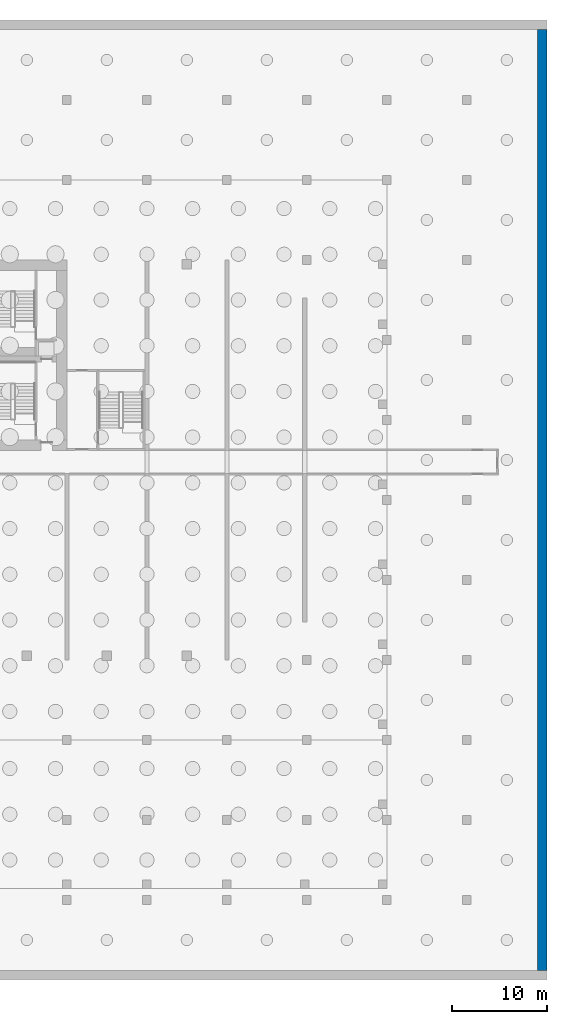
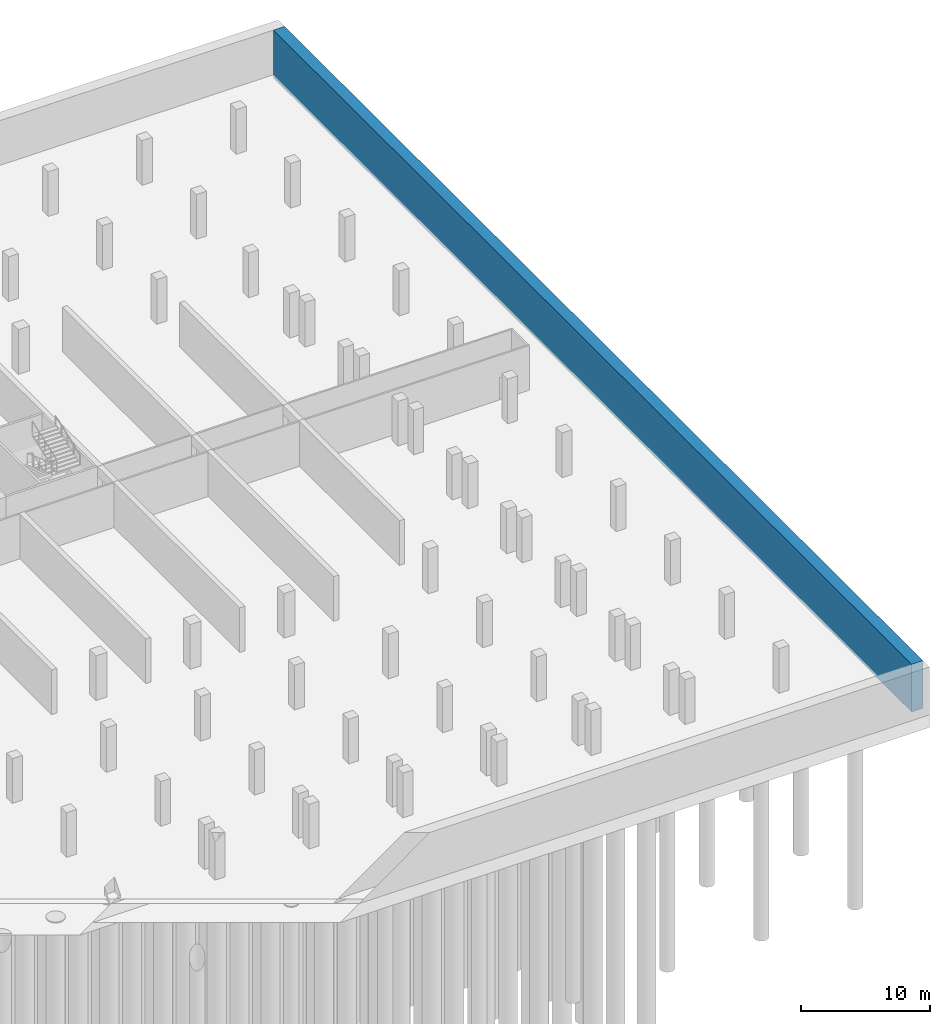
# One storey, part 13 of 17: 1 wall.
"""IFC4 building model written with IfcOpenShell, lengths in metres."""

from ifc_helpers import new_model, si_unit, direction, frame, frame_2d, origin, place, context, subcontext, project, spatial, rectangle, extrude, source, transform, mapped, material, layer, layer_set, type_object, element, save


model = new_model("IFC4")

# Units and contexts
model_context = context("Model", 3, precision=1e-05, world=origin(), true_north=direction((0.0, 1.0)))
body_context = subcontext(model_context, "Body", "Model", "MODEL_VIEW")
ifc_project = project(units=[si_unit("LENGTHUNIT", "METRE"), si_unit("AREAUNIT", "SQUARE_METRE"), si_unit("VOLUMEUNIT", "CUBIC_METRE"), si_unit("PLANEANGLEUNIT", "RADIAN"), si_unit("MASSUNIT", "GRAM", prefix="KILO")], contexts=[model_context])

# Site, building, storey
site_placement = place(None, origin())
site = spatial("IfcSite", under=ifc_project, at=site_placement, CompositionType="ELEMENT")
building_placement = place(site_placement, origin())
building = spatial("IfcBuilding", under=site, at=building_placement, Name="Vanashikhar Sky Hotel", CompositionType="ELEMENT")
storey_placement = place(building_placement, frame((0.0, 0.0, -13.5)))
storey = spatial("IfcBuildingStorey", under=building, at=storey_placement, Name="B3", CompositionType="ELEMENT", Elevation=-13.5)

# Wall
ifc_material = material(Name="Concrete M50", Category="concrete")
ifc_layer = layer(ifc_material, 1.0)
ifc_layer_set = layer_set([ifc_layer], Name="RC retaining wall 1000 Concrete M50")
wall_type = type_object("IfcWallType", Name="RC retaining wall 1000 Concrete M50", PredefinedType="SHEAR", material=ifc_layer_set)
shared_shape = source(origin(), body_context, "Body", "SweptSolid", [
    extrude(rectangle(XDim=98.800048828125, YDim=1.0, at=frame_2d((49.39990234375, 0.0))), origin(), (0.0, 0.0, 1.0), 4.52001953125),
])
wall_placement = place(storey_placement, frame((125.5, -32.60009765625, -0.300048828125), z_axis=(0.0, 0.0, 1.0), x_axis=(0.0, 1.0, 0.0)))
element("IfcWall", 1, at=wall_placement, inside=storey, type_object=wall_type, Name="RW-B3-E", PredefinedType="SHEAR", context=body_context, shape_type="MappedRepresentation", body=[
    mapped(shared_shape, transform((0.0, 0.0, 0.0), scale=1.0)),
])

save(model, "model.ifc")
